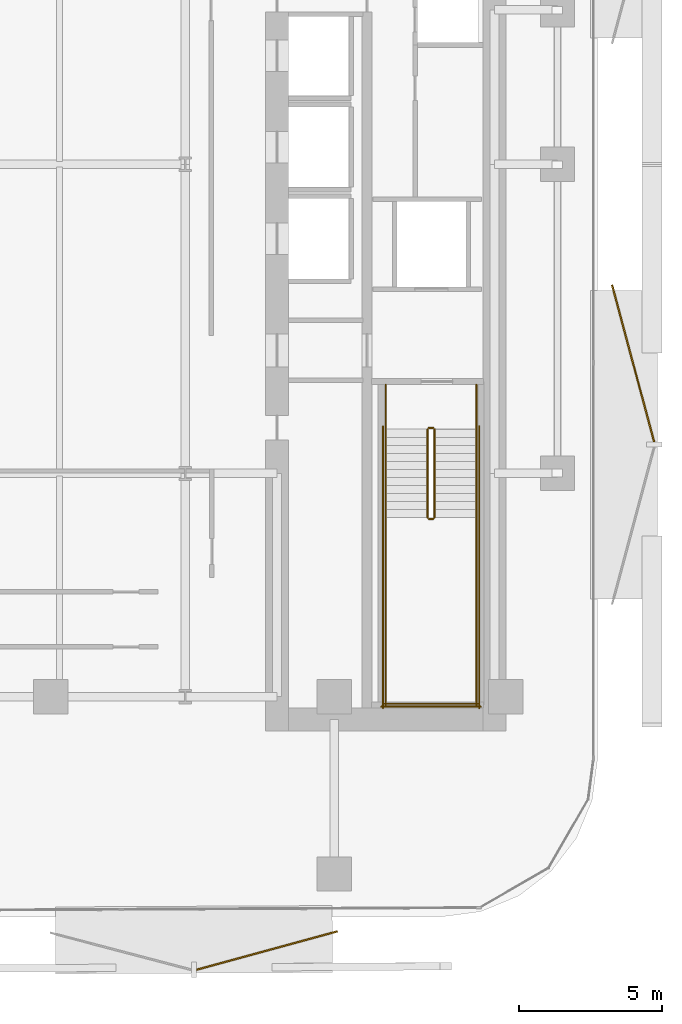
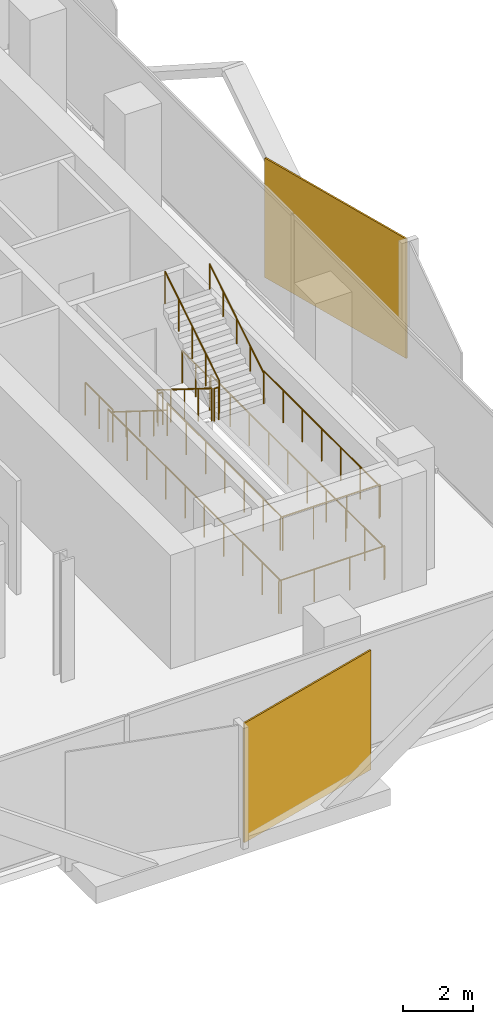
# One storey, part 13 of 15: 14 railings, 2 coverings.
"""IFC4 building model written with IfcOpenShell, lengths in metres."""

from ifc_helpers import new_model, si_unit, direction, frame, origin, origin_2d, place, context, subcontext, project, spatial, rectangle, circle, extrude, material, layer, layer_set, type_object, element, save


model = new_model("IFC4")

# Units and contexts
model_context = context("Model", 3, precision=1e-05, world=origin(), true_north=direction((0.0, 1.0)))
body_context = subcontext(model_context, "Body", "Model", "MODEL_VIEW")
ifc_project = project(units=[si_unit("LENGTHUNIT", "METRE"), si_unit("AREAUNIT", "SQUARE_METRE"), si_unit("VOLUMEUNIT", "CUBIC_METRE"), si_unit("PLANEANGLEUNIT", "RADIAN"), si_unit("MASSUNIT", "GRAM", prefix="KILO")], contexts=[model_context])

# Site, building, storey
site_placement = place(None, origin())
site = spatial("IfcSite", under=ifc_project, at=site_placement, CompositionType="ELEMENT")
building_placement = place(site_placement, origin())
building = spatial("IfcBuilding", under=site, at=building_placement, Name="Khairoan Windgate Tower", CompositionType="ELEMENT")
storey_placement = place(building_placement, frame((0.0, 0.0, 101.60009765625)))
storey = spatial("IfcBuildingStorey", under=building, at=storey_placement, Name="L23", CompositionType="ELEMENT", Elevation=101.60009765625)

# Coverings
ifc_material_1 = material(Name="Anodised Bronze Aluminium 6063-T6", Category="aluminium")
ifc_layer = layer(ifc_material_1, 0.054931640625, Name="Anodised Bronze Aluminium 6063-T6")
ifc_layer_set = layer_set([ifc_layer], Name="Anodised Bronze Aluminium 6063-T6")
covering_type = type_object("IfcCoveringType", Name="Perforated Bronze-Ceramic Folded Solar Screen Cladding BSC-1", PredefinedType="CLADDING", material=ifc_layer_set)
covering_1_placement = place(storey_placement, frame((12.05322265625, -27.472412109375, -0.10009765625), z_axis=(0.0, 0.0, 1.0), x_axis=(-0.964649468762, -0.263536339841, 0.0)))
element("IfcCovering", 1, at=covering_1_placement, inside=storey, type_object=covering_type, Name="L23 Folded Bronze Solar Screen Facet 129L", PredefinedType="CLADDING", context=body_context, shape_type="SweptSolid", body=[
    extrude(rectangle(XDim=5.10107421875, YDim=0.054931640625, at=origin_2d()), origin(), (0.0, 0.0, 1.0), 4.139892578125),
])
covering_2_placement = place(storey_placement, frame((24.8447265625, -6.961669921875, -0.10009765625), z_axis=(0.0, 0.0, 1.0), x_axis=(0.258819045103, -0.965925826289, 0.0)))
element("IfcCovering", 2, at=covering_2_placement, inside=storey, type_object=covering_type, Name="L23 Folded Bronze Solar Screen Facet 136L", PredefinedType="CLADDING", context=body_context, shape_type="SweptSolid", body=[
    extrude(rectangle(XDim=5.680908203125, YDim=0.054931640625, at=origin_2d()), origin(), (0.0, 0.0, 1.0), 4.139892578125),
])

# Railings
ifc_material_2 = material(Name="Anodised Bronze Aluminium 6063-T6", Category="aluminium")
railing_type_1 = type_object("IfcRailingType", Name="Stair Wall Handrail SHR-900", PredefinedType="HANDRAIL", material=ifc_material_2)
railing_1_placement = place(storey_placement, frame((16.199951171875, -9.260009765625, 0.1748046875)))
element("IfcRailing", 3, at=railing_1_placement, inside=storey, type_object=railing_type_1, Name="L23 ST1 stair handrail 1", PredefinedType="HANDRAIL", context=body_context, shape_type="SweptSolid", body=[
    extrude(circle(Radius=0.02392578125, at=origin_2d()), frame((0.0, 0.0, 0.8759765625), z_axis=(0.0, -0.847998304005, 0.529998940003), x_axis=(1.0, 0.0, 0.0)), (0.0, 0.0, 1.0), 3.632080078125),
    extrude(circle(Radius=0.02099609375, at=origin_2d()), origin(), (0.0, 0.0, 1.0), 0.851806640625),
    extrude(circle(Radius=0.02099609375, at=origin_2d()), frame((0.0, -0.77001953125, 0.481201171875)), (0.0, 0.0, 1.0), 0.851806640625),
    extrude(circle(Radius=0.02099609375, at=origin_2d()), frame((0.0, -1.5400390625, 0.96240234375)), (0.0, 0.0, 1.0), 0.851806640625),
    extrude(circle(Radius=0.02099609375, at=origin_2d()), frame((0.0, -2.31005859375, 1.44384765625)), (0.0, 0.0, 1.0), 0.851806640625),
    extrude(circle(Radius=0.02099609375, at=origin_2d()), frame((0.0, -3.080078125, 1.925048828125)), (0.0, 0.0, 1.0), 0.851806640625),
])
railing_2_placement = place(storey_placement, frame((19.3701171875, -12.340087890625, 2.27490234375)))
element("IfcRailing", 4, at=railing_2_placement, inside=storey, type_object=railing_type_1, Name="L23 ST1 stair handrail 2", PredefinedType="HANDRAIL", context=body_context, shape_type="SweptSolid", body=[
    extrude(circle(Radius=0.02392578125, at=origin_2d()), frame((0.0, 0.0, 0.8759765625), z_axis=(0.0, 0.847998304005, 0.529998940003), x_axis=(-1.0, 0.0, 0.0)), (0.0, 0.0, 1.0), 3.632080078125),
    extrude(circle(Radius=0.02099609375, at=origin_2d()), origin(), (0.0, 0.0, 1.0), 0.851806640625),
    extrude(circle(Radius=0.02099609375, at=origin_2d()), frame((0.0, 0.77001953125, 0.481201171875)), (0.0, 0.0, 1.0), 0.851806640625),
    extrude(circle(Radius=0.02099609375, at=origin_2d()), frame((0.0, 1.5400390625, 0.96240234375)), (0.0, 0.0, 1.0), 0.851806640625),
    extrude(circle(Radius=0.02099609375, at=origin_2d()), frame((0.0, 2.31005859375, 1.44384765625)), (0.0, 0.0, 1.0), 0.851806640625),
    extrude(circle(Radius=0.02099609375, at=origin_2d()), frame((0.0, 3.080078125, 1.925048828125)), (0.0, 0.0, 1.0), 0.851806640625),
])
ifc_material_3 = material(Name="Steel S355", Category="steel")
railing_type_2 = type_object("IfcRailingType", Name="Stairwell Safety Guardrail SGR-1150", PredefinedType="GUARDRAIL", material=ifc_material_3)
railing_3_placement = place(storey_placement, frame((17.659912109375, -9.260009765625, 0.1748046875)))
element("IfcRailing", 5, at=railing_3_placement, inside=storey, type_object=railing_type_2, Name="L23 ST1 stair guard 1", PredefinedType="GUARDRAIL", context=body_context, shape_type="SweptSolid", body=[
    extrude(circle(Radius=0.02392578125, at=origin_2d()), frame((0.0, 0.0, 1.1259765625), z_axis=(0.0, -0.847998304005, 0.529998940003), x_axis=(1.0, 0.0, 0.0)), (0.0, 0.0, 1.0), 3.632080078125),
    extrude(circle(Radius=0.02099609375, at=origin_2d()), origin(), (0.0, 0.0, 1.0), 1.101806640625),
    extrude(circle(Radius=0.02099609375, at=origin_2d()), frame((0.0, -0.77001953125, 0.481201171875)), (0.0, 0.0, 1.0), 1.101806640625),
    extrude(circle(Radius=0.02099609375, at=origin_2d()), frame((0.0, -1.5400390625, 0.96240234375)), (0.0, 0.0, 1.0), 1.101806640625),
    extrude(circle(Radius=0.02099609375, at=origin_2d()), frame((0.0, -2.31005859375, 1.44384765625)), (0.0, 0.0, 1.0), 1.101806640625),
    extrude(circle(Radius=0.02099609375, at=origin_2d()), frame((0.0, -3.080078125, 1.925048828125)), (0.0, 0.0, 1.0), 1.101806640625),
])
railing_4_placement = place(storey_placement, frame((17.7099609375, -12.389892578125, 2.099853515625)))
element("IfcRailing", 6, at=railing_4_placement, inside=storey, type_object=railing_type_2, Name="L23 ST1 stair guard 2", PredefinedType="GUARDRAIL", context=body_context, shape_type="SweptSolid", body=[
    extrude(circle(Radius=0.02392578125, at=origin_2d()), frame((0.0, 0.0, 1.1259765625), z_axis=(1.0, 0.0, 0.0), x_axis=(0.0, 1.0, 0.0)), (0.0, 0.0, 1.0), 0.150146484375),
    extrude(circle(Radius=0.02099609375, at=origin_2d()), origin(), (0.0, 0.0, 1.0), 1.101806640625),
    extrude(circle(Radius=0.02099609375, at=origin_2d()), frame((0.150146484375, 0.0, 0.0)), (0.0, 0.0, 1.0), 1.101806640625),
])
for number, where, name in (
    (7, (16.199951171875, -12.340087890625, 2.099853515625), "L23 ST1 stair guard 3"),
    (8, (19.3701171875, -12.340087890625, 2.099853515625), "L23 ST1 stair guard 4"),
):
    element("IfcRailing", number, at=place(storey_placement, frame(where)), inside=storey, type_object=railing_type_2, Name=name, PredefinedType="GUARDRAIL", context=body_context, shape_type="SweptSolid", body=[
        extrude(circle(Radius=0.02392578125, at=origin_2d()), frame((0.0, 0.0, 1.1259765625), z_axis=(0.0, -1.0, 0.0), x_axis=(1.0, 0.0, 0.0)), (0.0, 0.0, 1.0), 6.559814453125),
        extrude(circle(Radius=0.02099609375, at=origin_2d()), origin(), (0.0, 0.0, 1.0), 1.101806640625),
        extrude(circle(Radius=0.02099609375, at=origin_2d()), frame((0.0, -1.09326171875, 0.0)), (0.0, 0.0, 1.0), 1.101806640625),
        extrude(circle(Radius=0.02099609375, at=origin_2d()), frame((0.0, -2.1865234375, 0.0)), (0.0, 0.0, 1.0), 1.101806640625),
        extrude(circle(Radius=0.02099609375, at=origin_2d()), frame((0.0, -3.27978515625, 0.0)), (0.0, 0.0, 1.0), 1.101806640625),
        extrude(circle(Radius=0.02099609375, at=origin_2d()), frame((0.0, -4.373291015625, 0.0)), (0.0, 0.0, 1.0), 1.101806640625),
        extrude(circle(Radius=0.02099609375, at=origin_2d()), frame((0.0, -5.466552734375, 0.0)), (0.0, 0.0, 1.0), 1.101806640625),
        extrude(circle(Radius=0.02099609375, at=origin_2d()), frame((0.0, -6.559814453125, 0.0)), (0.0, 0.0, 1.0), 1.101806640625),
    ])
railing_5_placement = place(storey_placement, frame((16.14990234375, -18.85009765625, 2.099853515625)))
element("IfcRailing", 9, at=railing_5_placement, inside=storey, type_object=railing_type_2, Name="L23 ST1 stair guard 5", PredefinedType="GUARDRAIL", context=body_context, shape_type="SweptSolid", body=[
    extrude(circle(Radius=0.02392578125, at=origin_2d()), frame((0.0, 0.0, 1.1259765625), z_axis=(1.0, 0.0, 0.0), x_axis=(0.0, 1.0, 0.0)), (0.0, 0.0, 1.0), 3.27001953125),
    extrude(circle(Radius=0.02099609375, at=origin_2d()), origin(), (0.0, 0.0, 1.0), 1.101806640625),
    extrude(circle(Radius=0.02099609375, at=origin_2d()), frame((1.090087890625, 0.0, 0.0)), (0.0, 0.0, 1.0), 1.101806640625),
    extrude(circle(Radius=0.02099609375, at=origin_2d()), frame((2.179931640625, 0.0, 0.0)), (0.0, 0.0, 1.0), 1.101806640625),
    extrude(circle(Radius=0.02099609375, at=origin_2d()), frame((3.27001953125, 0.0, 0.0)), (0.0, 0.0, 1.0), 1.101806640625),
])
railing_6_placement = place(storey_placement, frame((17.909912109375, -12.340087890625, 2.27490234375)))
element("IfcRailing", 10, at=railing_6_placement, inside=storey, type_object=railing_type_2, Name="L23 ST1 stair guard 6", PredefinedType="GUARDRAIL", context=body_context, shape_type="SweptSolid", body=[
    extrude(circle(Radius=0.02392578125, at=origin_2d()), frame((0.0, 0.0, 1.1259765625), z_axis=(0.0, 0.847998304005, 0.529998940003), x_axis=(-1.0, 0.0, 0.0)), (0.0, 0.0, 1.0), 3.632080078125),
    extrude(circle(Radius=0.02099609375, at=origin_2d()), origin(), (0.0, 0.0, 1.0), 1.101806640625),
    extrude(circle(Radius=0.02099609375, at=origin_2d()), frame((0.0, 0.77001953125, 0.481201171875)), (0.0, 0.0, 1.0), 1.101806640625),
    extrude(circle(Radius=0.02099609375, at=origin_2d()), frame((0.0, 1.5400390625, 0.96240234375)), (0.0, 0.0, 1.0), 1.101806640625),
    extrude(circle(Radius=0.02099609375, at=origin_2d()), frame((0.0, 2.31005859375, 1.44384765625)), (0.0, 0.0, 1.0), 1.101806640625),
    extrude(circle(Radius=0.02099609375, at=origin_2d()), frame((0.0, 3.080078125, 1.925048828125)), (0.0, 0.0, 1.0), 1.101806640625),
])
railing_7_placement = place(storey_placement, frame((17.7099609375, -9.2099609375, 0.0)))
element("IfcRailing", 11, at=railing_7_placement, inside=storey, type_object=railing_type_2, Name="L23 ST1 stair guard 7", PredefinedType="GUARDRAIL", context=body_context, shape_type="SweptSolid", body=[
    extrude(circle(Radius=0.02392578125, at=origin_2d()), frame((0.0, 0.0, 1.1259765625), z_axis=(1.0, 0.0, 0.0), x_axis=(0.0, 1.0, 0.0)), (0.0, 0.0, 1.0), 0.150146484375),
    extrude(circle(Radius=0.02099609375, at=origin_2d()), origin(), (0.0, 0.0, 1.0), 1.101806640625),
    extrude(circle(Radius=0.02099609375, at=origin_2d()), frame((0.150146484375, 0.0, 0.0)), (0.0, 0.0, 1.0), 1.101806640625),
])
for number, where, name in (
    (12, (16.199951171875, -7.699951171875, 0.0), "L23 ST1 stair guard 8"),
    (13, (19.3701171875, -7.699951171875, 0.0), "L23 ST1 stair guard 9"),
):
    element("IfcRailing", number, at=place(storey_placement, frame(where)), inside=storey, type_object=railing_type_2, Name=name, PredefinedType="GUARDRAIL", context=body_context, shape_type="SweptSolid", body=[
        extrude(circle(Radius=0.02392578125, at=origin_2d()), frame((0.0, 0.0, 1.1259765625), z_axis=(0.0, -1.0, 0.0), x_axis=(1.0, 0.0, 0.0)), (0.0, 0.0, 1.0), 1.56005859375),
        extrude(circle(Radius=0.02099609375, at=origin_2d()), origin(), (0.0, 0.0, 1.0), 1.101806640625),
        extrude(circle(Radius=0.02099609375, at=origin_2d()), frame((0.0, -0.780029296875, 0.0)), (0.0, 0.0, 1.0), 1.101806640625),
        extrude(circle(Radius=0.02099609375, at=origin_2d()), frame((0.0, -1.56005859375, 0.0)), (0.0, 0.0, 1.0), 1.101806640625),
    ])
for number, where, name in (
    (14, (16.10009765625, -9.159912109375, 0.0), "L23 ST1 stair guard 10"),
    (15, (19.469970703125, -9.159912109375, 0.0), "L23 ST1 stair guard 11"),
):
    element("IfcRailing", number, at=place(storey_placement, frame(where)), inside=storey, type_object=railing_type_2, Name=name, PredefinedType="GUARDRAIL", context=body_context, shape_type="SweptSolid", body=[
        extrude(circle(Radius=0.02392578125, at=origin_2d()), frame((0.0, 0.0, 1.1259765625), z_axis=(0.0, -1.0, 0.0), x_axis=(1.0, 0.0, 0.0)), (0.0, 0.0, 1.0), 9.840087890625),
        extrude(circle(Radius=0.02099609375, at=origin_2d()), origin(), (0.0, 0.0, 1.0), 1.101806640625),
        extrude(circle(Radius=0.02099609375, at=origin_2d()), frame((0.0, -1.09326171875, 0.0)), (0.0, 0.0, 1.0), 1.101806640625),
        extrude(circle(Radius=0.02099609375, at=origin_2d()), frame((0.0, -2.186767578125, 0.0)), (0.0, 0.0, 1.0), 1.101806640625),
        extrude(circle(Radius=0.02099609375, at=origin_2d()), frame((0.0, -3.280029296875, 0.0)), (0.0, 0.0, 1.0), 1.101806640625),
        extrude(circle(Radius=0.02099609375, at=origin_2d()), frame((0.0, -4.373291015625, 0.0)), (0.0, 0.0, 1.0), 1.101806640625),
        extrude(circle(Radius=0.02099609375, at=origin_2d()), frame((0.0, -5.466796875, 0.0)), (0.0, 0.0, 1.0), 1.101806640625),
        extrude(circle(Radius=0.02099609375, at=origin_2d()), frame((0.0, -6.56005859375, 0.0)), (0.0, 0.0, 1.0), 1.101806640625),
        extrude(circle(Radius=0.02099609375, at=origin_2d()), frame((0.0, -7.6533203125, 0.0)), (0.0, 0.0, 1.0), 1.101806640625),
        extrude(circle(Radius=0.02099609375, at=origin_2d()), frame((0.0, -8.746826171875, 0.0)), (0.0, 0.0, 1.0), 1.101806640625),
        extrude(circle(Radius=0.02099609375, at=origin_2d()), frame((0.0, -9.840087890625, 0.0)), (0.0, 0.0, 1.0), 1.101806640625),
    ])
railing_8_placement = place(storey_placement, frame((16.050048828125, -18.949951171875, 0.0)))
element("IfcRailing", 16, at=railing_8_placement, inside=storey, type_object=railing_type_2, Name="L23 ST1 stair guard 12", PredefinedType="GUARDRAIL", context=body_context, shape_type="SweptSolid", body=[
    extrude(circle(Radius=0.02392578125, at=origin_2d()), frame((0.0, 0.0, 1.1259765625), z_axis=(1.0, 0.0, 0.0), x_axis=(0.0, 1.0, 0.0)), (0.0, 0.0, 1.0), 3.469970703125),
    extrude(circle(Radius=0.02099609375, at=origin_2d()), origin(), (0.0, 0.0, 1.0), 1.101806640625),
    extrude(circle(Radius=0.02099609375, at=origin_2d()), frame((1.15673828125, 0.0, 0.0)), (0.0, 0.0, 1.0), 1.101806640625),
    extrude(circle(Radius=0.02099609375, at=origin_2d()), frame((2.313232421875, 0.0, 0.0)), (0.0, 0.0, 1.0), 1.101806640625),
    extrude(circle(Radius=0.02099609375, at=origin_2d()), frame((3.469970703125, 0.0, 0.0)), (0.0, 0.0, 1.0), 1.101806640625),
])

save(model, "model.ifc")
